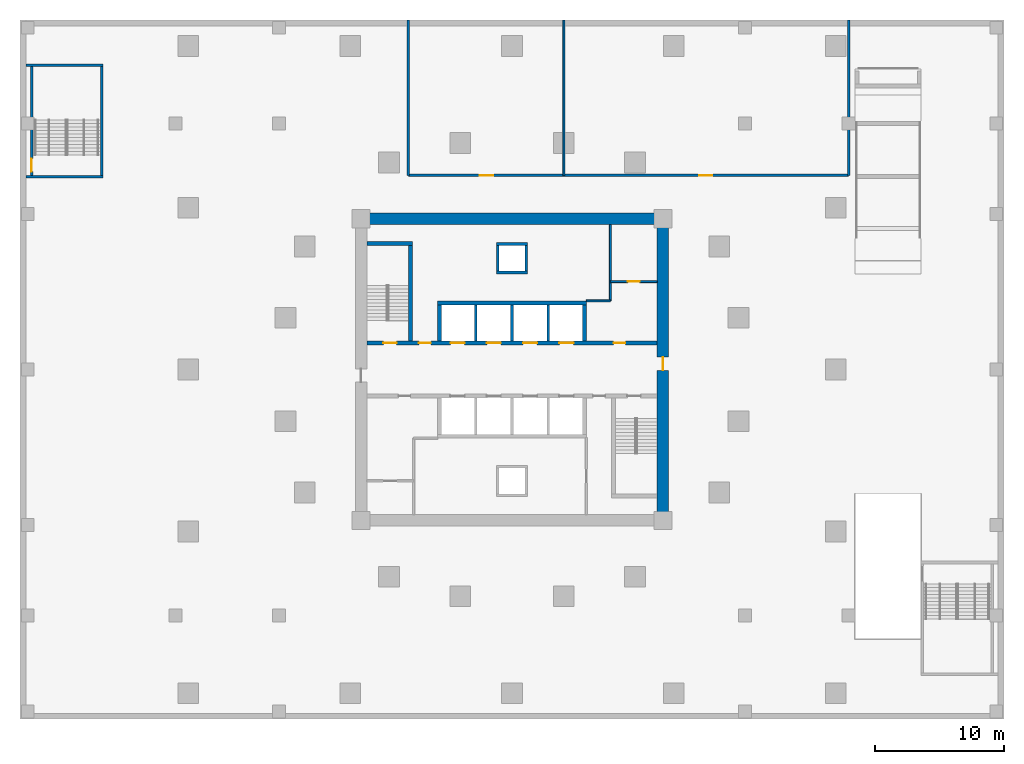
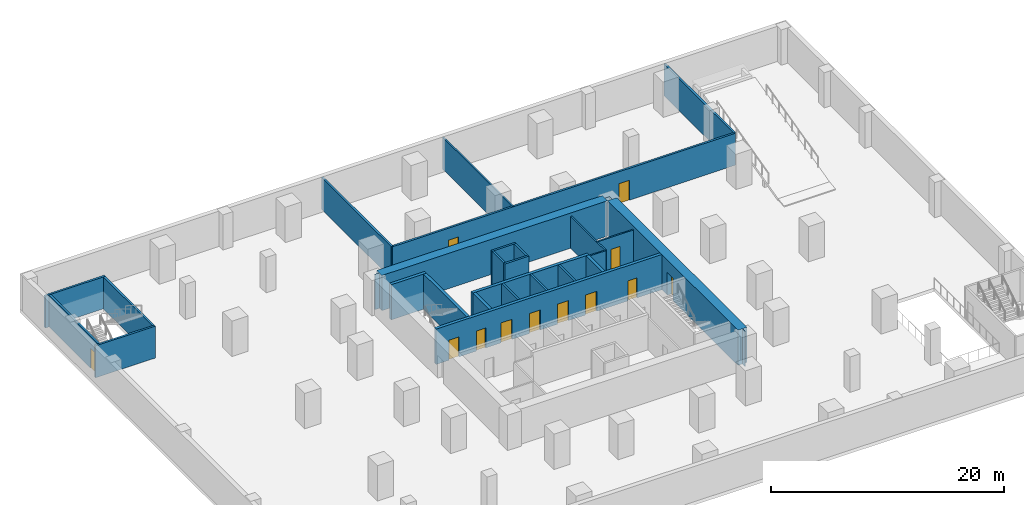
# One storey, part 4 of 9: 26 walls, 12 doors, 12 openings.
"""IFC4 building model written with IfcOpenShell, lengths in metres."""

from ifc_helpers import new_model, si_unit, direction, frame, frame_2d, origin, place, context, subcontext, project, spatial, polyline, rectangle, outline, extrude, material, layer, layer_set, type_object, element, fill, save


model = new_model("IFC4")

# Units and contexts
model_context = context("Model", 3, precision=1e-05, world=origin(), true_north=direction((0.0, 1.0)))
body_context = subcontext(model_context, "Body", "Model", "MODEL_VIEW")
ifc_project = project(units=[si_unit("LENGTHUNIT", "METRE"), si_unit("AREAUNIT", "SQUARE_METRE"), si_unit("VOLUMEUNIT", "CUBIC_METRE"), si_unit("PLANEANGLEUNIT", "RADIAN"), si_unit("MASSUNIT", "GRAM", prefix="KILO")], contexts=[model_context])

# Site, building, storey
site_placement = place(None, origin())
site = spatial("IfcSite", under=ifc_project, at=site_placement, CompositionType="ELEMENT")
building_placement = place(site_placement, origin())
building = spatial("IfcBuilding", under=site, at=building_placement, Name="Torsade Residences", CompositionType="ELEMENT")
storey_placement = place(building_placement, frame((0.0, 0.0, -3.699951171875)))
storey = spatial("IfcBuildingStorey", under=building, at=storey_placement, Name="B1", CompositionType="ELEMENT", Elevation=-3.699951171875)

# Wall, openings, doors
ifc_material_1 = material(Name="Concrete 80 MPa", Category="concrete")
ifc_layer_1 = layer(ifc_material_1, 0.300048828125)
ifc_layer_set_1 = layer_set([ifc_layer_1], Name="Concrete 80 MPa")
wall_type_1 = type_object("IfcWallType", Name="CORE INTERNAL WALL 300", PredefinedType="SHEAR", material=ifc_layer_set_1)
wall_1_placement = place(storey_placement, frame((28.800048828125, 32.050048828125, 0.0), z_axis=(0.0, 0.0, 1.0), x_axis=(1.0, 0.0, 0.0)))
wall_1 = element("IfcWall", 1, at=wall_1_placement, inside=storey, type_object=wall_type_1, Name="Core wall LN B1", PredefinedType="SHEAR", context=body_context, shape_type="SweptSolid", body=[
    extrude(rectangle(XDim=22.39990234375, YDim=0.300048828125, at=frame_2d((11.199951171875, 0.0))), origin(), (0.0, 0.0, 1.0), 3.699951171875),
])
opening_1_placement = place(wall_1_placement, frame((19.0400390625, 0.0, 0.0)))
opening_1 = element("IfcOpeningElement", 2, at=opening_1_placement, cuts=wall_1, Name="Opening D06", PredefinedType="OPENING", context=body_context, shape_type="SweptSolid", body=[
    extrude(rectangle(XDim=0.919921875, YDim=2.10009765625, at=frame_2d((0.4599609375, 1.050048828125))), frame((0.0, 0.159912109375, 0.0), z_axis=(0.0, -1.0, 0.0), x_axis=(1.0, 0.0, 0.0)), (0.0, 0.0, 1.0), 0.320068359375),
])
opening_2_placement = place(wall_1_placement, frame((1.264892578125, 0.0, 0.0)))
opening_2 = element("IfcOpeningElement", 3, at=opening_2_placement, cuts=wall_1, Name="Opening D03", PredefinedType="OPENING", context=body_context, shape_type="SweptSolid", body=[
    extrude(rectangle(XDim=1.02001953125, YDim=2.10009765625, at=frame_2d((0.510009765625, 1.050048828125))), frame((0.0, 0.159912109375, 0.0), z_axis=(0.0, -1.0, 0.0), x_axis=(1.0, 0.0, 0.0)), (0.0, 0.0, 1.0), 0.320068359375),
])
opening_3_placement = place(wall_1_placement, frame((4.014892578125, 0.0, 0.0)))
opening_3 = element("IfcOpeningElement", 4, at=opening_3_placement, cuts=wall_1, Name="Opening D06", PredefinedType="OPENING", context=body_context, shape_type="SweptSolid", body=[
    extrude(rectangle(XDim=0.919921875, YDim=2.10009765625, at=frame_2d((0.4599609375, 1.050048828125))), frame((0.0, 0.159912109375, 0.0), z_axis=(0.0, -1.0, 0.0), x_axis=(1.0, 0.0, 0.0)), (0.0, 0.0, 1.0), 0.320068359375),
])
opening_4_placement = place(wall_1_placement, frame((6.449951171875, 0.0, 0.0)))
opening_4 = element("IfcOpeningElement", 5, at=opening_4_placement, cuts=wall_1, Name="Opening LD", PredefinedType="OPENING", context=body_context, shape_type="SweptSolid", body=[
    extrude(rectangle(XDim=1.10009765625, YDim=2.10009765625, at=frame_2d((0.550048828125, 1.050048828125))), frame((0.0, 0.159912109375, 0.0), z_axis=(0.0, -1.0, 0.0), x_axis=(1.0, 0.0, 0.0)), (0.0, 0.0, 1.0), 0.320068359375),
])
opening_5_placement = place(wall_1_placement, frame((9.25, 0.0, 0.0)))
opening_5 = element("IfcOpeningElement", 6, at=opening_5_placement, cuts=wall_1, Name="Opening LD", PredefinedType="OPENING", context=body_context, shape_type="SweptSolid", body=[
    extrude(rectangle(XDim=1.10009765625, YDim=2.10009765625, at=frame_2d((0.550048828125, 1.050048828125))), frame((0.0, 0.159912109375, 0.0), z_axis=(0.0, -1.0, 0.0), x_axis=(1.0, 0.0, 0.0)), (0.0, 0.0, 1.0), 0.320068359375),
])
opening_6_placement = place(wall_1_placement, frame((12.050048828125, 0.0, 0.0)))
opening_6 = element("IfcOpeningElement", 7, at=opening_6_placement, cuts=wall_1, Name="Opening LD", PredefinedType="OPENING", context=body_context, shape_type="SweptSolid", body=[
    extrude(rectangle(XDim=1.10009765625, YDim=2.10009765625, at=frame_2d((0.550048828125, 1.050048828125))), frame((0.0, 0.159912109375, 0.0), z_axis=(0.0, -1.0, 0.0), x_axis=(1.0, 0.0, 0.0)), (0.0, 0.0, 1.0), 0.320068359375),
])
opening_7_placement = place(wall_1_placement, frame((14.85009765625, 0.0, 0.0)))
opening_7 = element("IfcOpeningElement", 8, at=opening_7_placement, cuts=wall_1, Name="Opening LD", PredefinedType="OPENING", context=body_context, shape_type="SweptSolid", body=[
    extrude(rectangle(XDim=1.10009765625, YDim=2.10009765625, at=frame_2d((0.550048828125, 1.050048828125))), frame((0.0, 0.159912109375, 0.0), z_axis=(0.0, -1.0, 0.0), x_axis=(1.0, 0.0, 0.0)), (0.0, 0.0, 1.0), 0.320068359375),
])
ifc_material_2 = material(Name="Steel-framed fire door", Category="steel")
door_type_1 = type_object("IfcDoorType", Name="FIRE DOOR 1020", OperationType="NOTDEFINED", PredefinedType="DOOR", material=ifc_material_2)
door_1_placement = place(opening_2_placement, origin())
door_1 = element("IfcDoor", 9, at=door_1_placement, inside=storey, type_object=door_type_1, Name="Exit door to fire-isolated stair ST1 B1", OperationType="SINGLE_SWING_RIGHT", OverallHeight=2.10009765625, OverallWidth=1.02001953125, PredefinedType="DOOR", context=body_context, shape_type="SweptSolid", body=[
    extrude(rectangle(XDim=1.02001953125, YDim=2.10009765625, at=frame_2d((0.510009765625, 1.050048828125))), frame((0.0, 0.02490234375, 0.0), z_axis=(0.0, -1.0, 0.0), x_axis=(1.0, 0.0, 0.0)), (0.0, 0.0, 1.0), 0.050048828125),
])
fill(opening_2, door_1)
ifc_material_3 = material(Name="Steel-framed fire door", Category="steel")
door_type_2 = type_object("IfcDoorType", Name="FIRE DOOR 920", OperationType="NOTDEFINED", PredefinedType="DOOR", material=ifc_material_3)
door_2_placement = place(opening_1_placement, origin())
door_2 = element("IfcDoor", 10, at=door_2_placement, inside=storey, type_object=door_type_2, Name="Door Lift lobby to Refuse room", OperationType="SINGLE_SWING_LEFT", OverallHeight=2.10009765625, OverallWidth=0.919921875, PredefinedType="DOOR", context=body_context, shape_type="SweptSolid", body=[
    extrude(rectangle(XDim=0.919921875, YDim=2.10009765625, at=frame_2d((0.4599609375, 1.050048828125))), frame((0.0, 0.02490234375, 0.0), z_axis=(0.0, -1.0, 0.0), x_axis=(1.0, 0.0, 0.0)), (0.0, 0.0, 1.0), 0.050048828125),
])
fill(opening_1, door_2)
door_3_placement = place(opening_3_placement, origin())
door_3 = element("IfcDoor", 11, at=door_3_placement, inside=storey, type_object=door_type_2, Name="Door Lift lobby to Electrical riser room", OperationType="SINGLE_SWING_LEFT", OverallHeight=2.10009765625, OverallWidth=0.919921875, PredefinedType="DOOR", context=body_context, shape_type="SweptSolid", body=[
    extrude(rectangle(XDim=0.919921875, YDim=2.10009765625, at=frame_2d((0.4599609375, 1.050048828125))), frame((0.0, 0.02490234375, 0.0), z_axis=(0.0, -1.0, 0.0), x_axis=(1.0, 0.0, 0.0)), (0.0, 0.0, 1.0), 0.050048828125),
])
fill(opening_3, door_3)
ifc_material_4 = material(Name="Stainless steel lift landing door", Category="steel")
door_type_3 = type_object("IfcDoorType", Name="LIFT LANDING DOOR 1100", OperationType="SLIDING_TO_LEFT", PredefinedType="DOOR", material=ifc_material_4)
door_4_placement = place(opening_4_placement, origin())
door_4 = element("IfcDoor", 12, at=door_4_placement, inside=storey, type_object=door_type_3, Name="Lift LA1 landing door B1", OperationType="SLIDING_TO_LEFT", OverallHeight=2.10009765625, OverallWidth=1.10009765625, PredefinedType="DOOR", context=body_context, shape_type="SweptSolid", body=[
    extrude(rectangle(XDim=1.10009765625, YDim=2.10009765625, at=frame_2d((0.550048828125, 1.050048828125))), frame((0.0, 0.02490234375, 0.0), z_axis=(0.0, -1.0, 0.0), x_axis=(1.0, 0.0, 0.0)), (0.0, 0.0, 1.0), 0.050048828125),
])
fill(opening_4, door_4)
door_5_placement = place(opening_5_placement, origin())
door_5 = element("IfcDoor", 13, at=door_5_placement, inside=storey, type_object=door_type_3, Name="Lift LA2 landing door B1", OperationType="SLIDING_TO_LEFT", OverallHeight=2.10009765625, OverallWidth=1.10009765625, PredefinedType="DOOR", context=body_context, shape_type="SweptSolid", body=[
    extrude(rectangle(XDim=1.10009765625, YDim=2.10009765625, at=frame_2d((0.550048828125, 1.050048828125))), frame((0.0, 0.02490234375, 0.0), z_axis=(0.0, -1.0, 0.0), x_axis=(1.0, 0.0, 0.0)), (0.0, 0.0, 1.0), 0.050048828125),
])
fill(opening_5, door_5)
door_6_placement = place(opening_6_placement, origin())
door_6 = element("IfcDoor", 14, at=door_6_placement, inside=storey, type_object=door_type_3, Name="Lift LA3 landing door B1", OperationType="SLIDING_TO_LEFT", OverallHeight=2.10009765625, OverallWidth=1.10009765625, PredefinedType="DOOR", context=body_context, shape_type="SweptSolid", body=[
    extrude(rectangle(XDim=1.10009765625, YDim=2.10009765625, at=frame_2d((0.550048828125, 1.050048828125))), frame((0.0, 0.02490234375, 0.0), z_axis=(0.0, -1.0, 0.0), x_axis=(1.0, 0.0, 0.0)), (0.0, 0.0, 1.0), 0.050048828125),
])
fill(opening_6, door_6)
door_7_placement = place(opening_7_placement, origin())
door_7 = element("IfcDoor", 15, at=door_7_placement, inside=storey, type_object=door_type_3, Name="Lift FL1 landing door B1", OperationType="SLIDING_TO_LEFT", OverallHeight=2.10009765625, OverallWidth=1.10009765625, PredefinedType="DOOR", context=body_context, shape_type="SweptSolid", body=[
    extrude(rectangle(XDim=1.10009765625, YDim=2.10009765625, at=frame_2d((0.550048828125, 1.050048828125))), frame((0.0, 0.02490234375, 0.0), z_axis=(0.0, -1.0, 0.0), x_axis=(1.0, 0.0, 0.0)), (0.0, 0.0, 1.0), 0.050048828125),
])
fill(opening_7, door_7)

# Walls
wall_2_placement = place(storey_placement, frame((34.25, 35.14990234375, 0.0), z_axis=(0.0, 0.0, 1.0), x_axis=(1.0, 0.0, 0.0)))
element("IfcWall", 16, at=wall_2_placement, inside=storey, type_object=wall_type_1, Name="Core wall BN B1", PredefinedType="SHEAR", context=body_context, shape_type="SweptSolid", body=[
    extrude(rectangle(XDim=11.5, YDim=0.300048828125, at=frame_2d((5.75, 0.0))), origin(), (0.0, 0.0, 1.0), 3.699951171875),
])
for number, where, z_axis, x_axis, name in (
    (17, (34.39990234375, 32.199951171875, 0.0), (0.0, 0.0, 1.0), (0.0, 1.0, 0.0), "Core wall DN0 B1"),
    (18, (45.60009765625, 32.199951171875, 0.0), (0.0, 0.0, 1.0), (0.0, 1.0, 0.0), "Core wall DN4 B1"),
):
    element("IfcWall", number, at=place(storey_placement, frame(where, z_axis=z_axis, x_axis=x_axis)), inside=storey, type_object=wall_type_1, Name=name, PredefinedType="SHEAR", context=body_context, shape_type="SweptSolid", body=[
        extrude(rectangle(XDim=2.800048828125, YDim=0.300048828125, at=frame_2d((1.39990234375, 0.0))), origin(), (0.0, 0.0, 1.0), 3.699951171875),
    ])
wall_3_placement = place(storey_placement, frame((32.14990234375, 32.199951171875, 0.0), z_axis=(0.0, 0.0, 1.0), x_axis=(0.0, 1.0, 0.0)))
element("IfcWall", 19, at=wall_3_placement, inside=storey, type_object=wall_type_1, Name="Core wall ST1E B1", PredefinedType="SHEAR", context=body_context, shape_type="SweptSolid", body=[
    extrude(rectangle(XDim=7.699951171875, YDim=0.300048828125, at=frame_2d((3.85009765625, 0.0))), origin(), (0.0, 0.0, 1.0), 3.699951171875),
])
wall_4_placement = place(storey_placement, frame((28.800048828125, 39.75, 0.0), z_axis=(0.0, 0.0, 1.0), x_axis=(1.0, 0.0, 0.0)))
element("IfcWall", 20, at=wall_4_placement, inside=storey, type_object=wall_type_1, Name="Core wall ST1N B1", PredefinedType="SHEAR", context=body_context, shape_type="SweptSolid", body=[
    extrude(rectangle(XDim=3.5, YDim=0.300048828125, at=frame_2d((1.75, 0.0))), origin(), (0.0, 0.0, 1.0), 3.699951171875),
])
ifc_material_5 = material(Name="Concrete 80 MPa", Category="concrete")
ifc_layer_2 = layer(ifc_material_5, 0.89990234375)
ifc_layer_set_2 = layer_set([ifc_layer_2], Name="Concrete 80 MPa")
wall_type_2 = type_object("IfcWallType", Name="CORE WALL 900", PredefinedType="SHEAR", material=ifc_layer_set_2)
wall_5_placement = place(storey_placement, frame((28.800048828125, 41.64990234375, 0.0), z_axis=(0.0, 0.0, 1.0), x_axis=(1.0, 0.0, 0.0)))
element("IfcWall", 21, at=wall_5_placement, inside=storey, type_object=wall_type_2, Name="Core wall N B1", PredefinedType="SHEAR", context=body_context, shape_type="SweptSolid", body=[
    extrude(outline(polyline([(0.0, -0.449951171875), (22.39990234375, -0.449951171875), (22.39990234375, -0.02490234375), (22.849853515625, -0.02490234375), (22.849853515625, 0.02490234375), (22.39990234375, 0.02490234375), (22.39990234375, 0.449951171875), (0.0, 0.449951171875), (0.0, 0.02490234375), (-0.449951171875, 0.02490234375), (-0.449951171875, -0.02490234375), (0.0, -0.02490234375), (0.0, -0.449951171875)])), origin(), (0.0, 0.0, 1.0), 3.699951171875),
])

# Wall, opening, door
wall_6_placement = place(storey_placement, frame((51.64990234375, 18.800048828125, 0.0), z_axis=(0.0, 0.0, 1.0), x_axis=(0.0, 1.0, 0.0)))
wall_6 = element("IfcWall", 22, at=wall_6_placement, inside=storey, type_object=wall_type_2, Name="Core wall E B1", PredefinedType="SHEAR", context=body_context, shape_type="SweptSolid", body=[
    extrude(outline(polyline([(0.0, -0.449951171875), (22.39990234375, -0.449951171875), (22.39990234375, -0.02490234375), (22.849853515625, -0.02490234375), (22.849853515625, 0.02490234375), (22.39990234375, 0.02490234375), (22.39990234375, 0.449951171875), (0.0, 0.449951171875), (0.0, 0.02490234375), (-0.449951171875, 0.02490234375), (-0.449951171875, -0.02490234375), (0.0, -0.02490234375), (0.0, -0.449951171875)])), origin(), (0.0, 0.0, 1.0), 3.699951171875),
])
opening_8_placement = place(wall_6_placement, frame((11.139892578125, 0.0, 0.0)))
opening_8 = element("IfcOpeningElement", 23, at=opening_8_placement, cuts=wall_6, Name="Opening D04", PredefinedType="OPENING", context=body_context, shape_type="SweptSolid", body=[
    extrude(rectangle(XDim=1.02001953125, YDim=2.39990234375, at=frame_2d((0.510009765625, 1.199951171875))), frame((0.0, 0.4599609375, 0.0), z_axis=(0.0, -1.0, 0.0), x_axis=(1.0, 0.0, 0.0)), (0.0, 0.0, 1.0), 0.919921875),
])
ifc_material_6 = material(Name="Steel-framed fire door", Category="steel")
door_type_4 = type_object("IfcDoorType", Name="LOBBY SMOKE DOOR 1020x2400", OperationType="NOTDEFINED", PredefinedType="DOOR", material=ifc_material_6)
door_8_placement = place(opening_8_placement, origin())
door_8 = element("IfcDoor", 24, at=door_8_placement, inside=storey, type_object=door_type_4, Name="Lift lobby door E B1", OperationType="SINGLE_SWING_LEFT", OverallHeight=2.39990234375, OverallWidth=1.02001953125, PredefinedType="DOOR", context=body_context, shape_type="SweptSolid", body=[
    extrude(rectangle(XDim=1.02001953125, YDim=2.39990234375, at=frame_2d((0.510009765625, 1.199951171875))), frame((0.0, 0.02490234375, 0.0), z_axis=(0.0, -1.0, 0.0), x_axis=(1.0, 0.0, 0.0)), (0.0, 0.0, 1.0), 0.050048828125),
])
fill(opening_8, door_8)

# Wall
ifc_material_7 = material(Name="Plasterboard on steel stud", Category="steel")
ifc_layer_3 = layer(ifc_material_7, 0.199951171875)
ifc_layer_set_3 = layer_set([ifc_layer_3], Name="Plasterboard on steel stud")
wall_type_3 = type_object("IfcWallType", Name="CORRIDOR WALL 200", PredefinedType="PARTITIONING", material=ifc_layer_set_3)
wall_7_placement = place(storey_placement, frame((32.0, 57.0, 0.0), z_axis=(0.0, 0.0, 1.0), x_axis=(0.0, -1.0, 0.0)))
element("IfcWall", 25, at=wall_7_placement, inside=storey, type_object=wall_type_3, Name="Corridor wall B1", PredefinedType="PARTITIONING", context=body_context, shape_type="SweptSolid", body=[
    extrude(rectangle(XDim=12.0, YDim=0.199951171875, at=frame_2d((6.0, 0.0))), origin(), (0.0, 0.0, 1.0), 3.349853515625),
])

# Wall, openings, doors
wall_8_placement = place(storey_placement, frame((32.0, 45.0, 0.0), z_axis=(0.0, 0.0, 1.0), x_axis=(1.0, 0.0, 0.0)))
wall_8 = element("IfcWall", 26, at=wall_8_placement, inside=storey, type_object=wall_type_3, Name="Corridor wall B1", PredefinedType="PARTITIONING", context=body_context, shape_type="SweptSolid", body=[
    extrude(rectangle(XDim=34.0, YDim=0.199951171875, at=frame_2d((17.0, 0.0))), origin(), (0.0, 0.0, 1.0), 3.349853515625),
])
opening_9_placement = place(wall_8_placement, frame((22.465087890625, 0.0, 0.0)))
opening_9 = element("IfcOpeningElement", 27, at=opening_9_placement, cuts=wall_8, Name="Opening D03", PredefinedType="OPENING", context=body_context, shape_type="SweptSolid", body=[
    extrude(rectangle(XDim=1.02001953125, YDim=2.10009765625, at=frame_2d((0.510009765625, 1.050048828125))), frame((0.0, 0.10986328125, 0.0), z_axis=(0.0, -1.0, 0.0), x_axis=(1.0, 0.0, 0.0)), (0.0, 0.0, 1.0), 0.219970703125),
])
opening_10_placement = place(wall_8_placement, frame((5.514892578125, 0.0, 0.0)))
opening_10 = element("IfcOpeningElement", 28, at=opening_10_placement, cuts=wall_8, Name="Opening D03", PredefinedType="OPENING", context=body_context, shape_type="SweptSolid", body=[
    extrude(rectangle(XDim=1.02001953125, YDim=2.10009765625, at=frame_2d((0.510009765625, 1.050048828125))), frame((0.0, 0.10986328125, 0.0), z_axis=(0.0, -1.0, 0.0), x_axis=(1.0, 0.0, 0.0)), (0.0, 0.0, 1.0), 0.219970703125),
])
door_9_placement = place(opening_9_placement, origin())
door_9 = element("IfcDoor", 29, at=door_9_placement, inside=storey, type_object=door_type_1, Name="Door Car park to Residents storage", OperationType="SINGLE_SWING_LEFT", OverallHeight=2.10009765625, OverallWidth=1.02001953125, PredefinedType="DOOR", context=body_context, shape_type="SweptSolid", body=[
    extrude(rectangle(XDim=1.02001953125, YDim=2.10009765625, at=frame_2d((0.510009765625, 1.050048828125))), frame((0.0, 0.02490234375, 0.0), z_axis=(0.0, -1.0, 0.0), x_axis=(1.0, 0.0, 0.0)), (0.0, 0.0, 1.0), 0.050048828125),
])
fill(opening_9, door_9)
door_10_placement = place(opening_10_placement, origin())
door_10 = element("IfcDoor", 30, at=door_10_placement, inside=storey, type_object=door_type_1, Name="Door Car park to Bicycle store", OperationType="SINGLE_SWING_RIGHT", OverallHeight=2.10009765625, OverallWidth=1.02001953125, PredefinedType="DOOR", context=body_context, shape_type="SweptSolid", body=[
    extrude(rectangle(XDim=1.02001953125, YDim=2.10009765625, at=frame_2d((0.510009765625, 1.050048828125))), frame((0.0, 0.02490234375, 0.0), z_axis=(0.0, -1.0, 0.0), x_axis=(1.0, 0.0, 0.0)), (0.0, 0.0, 1.0), 0.050048828125),
])
fill(opening_10, door_10)

# Walls
wall_9_placement = place(storey_placement, frame((66.0, 57.0, 0.0), z_axis=(0.0, 0.0, 1.0), x_axis=(0.0, -1.0, 0.0)))
element("IfcWall", 31, at=wall_9_placement, inside=storey, type_object=wall_type_3, Name="Corridor wall B1", PredefinedType="PARTITIONING", context=body_context, shape_type="SweptSolid", body=[
    extrude(rectangle(XDim=12.0, YDim=0.199951171875, at=frame_2d((6.0, 0.0))), origin(), (0.0, 0.0, 1.0), 3.349853515625),
])
ifc_material_8 = material(Name="Reinforced blockwork", Category="masonry")
ifc_layer_4 = layer(ifc_material_8, 0.199951171875)
ifc_layer_set_4 = layer_set([ifc_layer_4], Name="Reinforced blockwork")
wall_type_4 = type_object("IfcWallType", Name="LIFT SHAFT DIVIDING WALL 200", PredefinedType="SOLIDWALL", material=ifc_layer_set_4)
for number, where, z_axis, x_axis, name in (
    (32, (37.199951171875, 32.199951171875, 0.0), (0.0, 0.0, 1.0), (0.0, 1.0, 0.0), "Core wall DN1 B1"),
    (33, (40.0, 32.199951171875, 0.0), (0.0, 0.0, 1.0), (0.0, 1.0, 0.0), "Core wall DN2 B1"),
    (34, (42.800048828125, 32.199951171875, 0.0), (0.0, 0.0, 1.0), (0.0, 1.0, 0.0), "Core wall DN3 B1"),
):
    element("IfcWall", number, at=place(storey_placement, frame(where, z_axis=z_axis, x_axis=x_axis)), inside=storey, type_object=wall_type_4, Name=name, PredefinedType="SOLIDWALL", context=body_context, shape_type="SweptSolid", body=[
        extrude(rectangle(XDim=2.800048828125, YDim=0.199951171875, at=frame_2d((1.39990234375, 0.0))), origin(), (0.0, 0.0, 1.0), 3.699951171875),
    ])
ifc_material_9 = material(Name="Reinforced blockwork", Category="masonry")
ifc_layer_5 = layer(ifc_material_9, 0.199951171875)
ifc_layer_set_5 = layer_set([ifc_layer_5], Name="Reinforced blockwork")
wall_type_5 = type_object("IfcWallType", Name="PODIUM STAIR ENCLOSURE WALL 200", PredefinedType="SOLIDWALL", material=ifc_layer_set_5)
wall_10_placement = place(storey_placement, frame((2.449951171875, 44.89990234375, 0.0), z_axis=(0.0, 0.0, 1.0), x_axis=(1.0, 0.0, 0.0)))
element("IfcWall", 35, at=wall_10_placement, inside=storey, type_object=wall_type_5, Name="Stair enclosure wall B1", PredefinedType="SOLIDWALL", context=body_context, shape_type="SweptSolid", body=[
    extrude(rectangle(XDim=5.949951171875, YDim=0.199951171875, at=frame_2d((2.97509765625, 0.0))), origin(), (0.0, 0.0, 1.0), 3.349853515625),
])
wall_11_placement = place(storey_placement, frame((8.300048828125, 45.0, 0.0), z_axis=(0.0, 0.0, 1.0), x_axis=(0.0, 1.0, 0.0)))
element("IfcWall", 36, at=wall_11_placement, inside=storey, type_object=wall_type_5, Name="Stair enclosure wall B1", PredefinedType="SOLIDWALL", context=body_context, shape_type="SweptSolid", body=[
    extrude(rectangle(XDim=8.419921875, YDim=0.199951171875, at=frame_2d((4.2099609375, 0.0))), origin(), (0.0, 0.0, 1.0), 3.349853515625),
])
wall_12_placement = place(storey_placement, frame((8.39990234375, 53.52001953125, 0.0), z_axis=(0.0, 0.0, 1.0), x_axis=(-1.0, 0.0, 0.0)))
element("IfcWall", 37, at=wall_12_placement, inside=storey, type_object=wall_type_5, Name="Stair enclosure wall B1", PredefinedType="SOLIDWALL", context=body_context, shape_type="SweptSolid", body=[
    extrude(rectangle(XDim=5.949951171875, YDim=0.199951171875, at=frame_2d((2.97509765625, 0.0))), origin(), (0.0, 0.0, 1.0), 3.349853515625),
])

# Wall, opening, door
wall_13_placement = place(storey_placement, frame((2.89990234375, 53.419921875, 0.0), z_axis=(0.0, 0.0, 1.0), x_axis=(0.0, -1.0, 0.0)))
wall_13 = element("IfcWall", 38, at=wall_13_placement, inside=storey, type_object=wall_type_5, Name="Stair enclosure wall B1", PredefinedType="SOLIDWALL", context=body_context, shape_type="SweptSolid", body=[
    extrude(rectangle(XDim=8.419921875, YDim=0.199951171875, at=frame_2d((4.2099609375, 0.0))), origin(), (0.0, 0.0, 1.0), 3.349853515625),
])
opening_11_placement = place(wall_13_placement, frame((7.1201171875, 0.0, 0.0)))
opening_11 = element("IfcOpeningElement", 39, at=opening_11_placement, cuts=wall_13, Name="Opening D03", PredefinedType="OPENING", context=body_context, shape_type="SweptSolid", body=[
    extrude(rectangle(XDim=1.02001953125, YDim=2.10009765625, at=frame_2d((0.510009765625, 1.050048828125))), frame((0.0, 0.10986328125, 0.0), z_axis=(0.0, -1.0, 0.0), x_axis=(1.0, 0.0, 0.0)), (0.0, 0.0, 1.0), 0.219970703125),
])
door_11_placement = place(opening_11_placement, origin())
door_11 = element("IfcDoor", 40, at=door_11_placement, inside=storey, type_object=door_type_1, Name="Exit door to fire-isolated stair ST3 B1", OperationType="SINGLE_SWING_RIGHT", OverallHeight=2.10009765625, OverallWidth=1.02001953125, PredefinedType="DOOR", context=body_context, shape_type="SweptSolid", body=[
    extrude(rectangle(XDim=1.02001953125, YDim=2.10009765625, at=frame_2d((0.510009765625, 1.050048828125))), frame((0.0, 0.02490234375, 0.0), z_axis=(0.0, -1.0, 0.0), x_axis=(1.0, 0.0, 0.0)), (0.0, 0.0, 1.0), 0.050048828125),
])
fill(opening_11, door_11)

# Walls
ifc_material_10 = material(Name="Reinforced blockwork", Category="masonry")
ifc_layer_6 = layer(ifc_material_10, 0.199951171875)
ifc_layer_set_6 = layer_set([ifc_layer_6], Name="Reinforced blockwork")
wall_type_6 = type_object("IfcWallType", Name="RISER SHAFT WALL 200", PredefinedType="SOLIDWALL", material=ifc_layer_set_6)
for number, where, z_axis, x_axis, name in (
    (41, (38.89990234375, 37.60009765625, 0.0), (0.0, 0.0, 1.0), (0.0, 1.0, 0.0), "Core wall RS1a B1"),
    (42, (41.10009765625, 37.60009765625, 0.0), (0.0, 0.0, 1.0), (0.0, 1.0, 0.0), "Core wall RS1b B1"),
):
    element("IfcWall", number, at=place(storey_placement, frame(where, z_axis=z_axis, x_axis=x_axis)), inside=storey, type_object=wall_type_6, Name=name, PredefinedType="SOLIDWALL", context=body_context, shape_type="SweptSolid", body=[
        extrude(rectangle(XDim=2.0, YDim=0.199951171875, at=frame_2d((1.0, 0.0))), origin(), (0.0, 0.0, 1.0), 3.699951171875),
    ])
for number, where, z_axis, x_axis, name in (
    (43, (38.800048828125, 37.5, 0.0), (0.0, 0.0, 1.0), (1.0, 0.0, 0.0), "Core wall RS1c B1"),
    (44, (38.800048828125, 39.699951171875, 0.0), (0.0, 0.0, 1.0), (1.0, 0.0, 0.0), "Core wall RS1d B1"),
):
    element("IfcWall", number, at=place(storey_placement, frame(where, z_axis=z_axis, x_axis=x_axis)), inside=storey, type_object=wall_type_6, Name=name, PredefinedType="SOLIDWALL", context=body_context, shape_type="SweptSolid", body=[
        extrude(rectangle(XDim=2.39990234375, YDim=0.199951171875, at=frame_2d((1.199951171875, 0.0))), origin(), (0.0, 0.0, 1.0), 3.699951171875),
    ])
ifc_material_11 = material(Name="Reinforced blockwork", Category="masonry")
ifc_layer_7 = layer(ifc_material_11, 0.14990234375)
ifc_layer_set_7 = layer_set([ifc_layer_7], Name="Reinforced blockwork")
wall_type_7 = type_object("IfcWallType", Name="SERVICE ROOM WALL 150", PredefinedType="SOLIDWALL", material=ifc_layer_set_7)
wall_14_placement = place(storey_placement, frame((47.60009765625, 41.199951171875, 0.0), z_axis=(0.0, 0.0, 1.0), x_axis=(0.0, -1.0, 0.0)))
element("IfcWall", 45, at=wall_14_placement, inside=storey, type_object=wall_type_7, Name="Service room wall B1", PredefinedType="SOLIDWALL", context=body_context, shape_type="SweptSolid", body=[
    extrude(rectangle(XDim=5.89990234375, YDim=0.14990234375, at=frame_2d((2.949951171875, 0.0))), origin(), (0.0, 0.0, 1.0), 3.349853515625),
])
wall_15_placement = place(storey_placement, frame((47.60009765625, 35.300048828125, 0.0), z_axis=(0.0, 0.0, 1.0), x_axis=(-1.0, 0.0, 0.0)))
element("IfcWall", 46, at=wall_15_placement, inside=storey, type_object=wall_type_7, Name="Service room wall B1", PredefinedType="SOLIDWALL", context=body_context, shape_type="SweptSolid", body=[
    extrude(rectangle(XDim=1.85009765625, YDim=0.14990234375, at=frame_2d((0.925048828125, 0.0))), origin(), (0.0, 0.0, 1.0), 3.349853515625),
])

# Wall, opening, door
wall_16_placement = place(storey_placement, frame((47.60009765625, 36.800048828125, 0.0), z_axis=(0.0, 0.0, 1.0), x_axis=(1.0, 0.0, 0.0)))
wall_16 = element("IfcWall", 47, at=wall_16_placement, inside=storey, type_object=wall_type_7, Name="Service room wall B1", PredefinedType="SOLIDWALL", context=body_context, shape_type="SweptSolid", body=[
    extrude(rectangle(XDim=3.599853515625, YDim=0.14990234375, at=frame_2d((1.7998046875, 0.0))), origin(), (0.0, 0.0, 1.0), 3.349853515625),
])
opening_12_placement = place(wall_16_placement, frame((1.340087890625, 0.0, 0.0)))
opening_12 = element("IfcOpeningElement", 48, at=opening_12_placement, cuts=wall_16, Name="Opening D06", PredefinedType="OPENING", context=body_context, shape_type="SweptSolid", body=[
    extrude(rectangle(XDim=0.919921875, YDim=2.10009765625, at=frame_2d((0.4599609375, 1.050048828125))), frame((0.0, 0.0849609375, 0.0), z_axis=(0.0, -1.0, 0.0), x_axis=(1.0, 0.0, 0.0)), (0.0, 0.0, 1.0), 0.169921875),
])
door_12_placement = place(opening_12_placement, origin())
door_12 = element("IfcDoor", 49, at=door_12_placement, inside=storey, type_object=door_type_2, Name="Door Refuse room to Bulky waste store", OperationType="SINGLE_SWING_LEFT", OverallHeight=2.10009765625, OverallWidth=0.919921875, PredefinedType="DOOR", context=body_context, shape_type="SweptSolid", body=[
    extrude(rectangle(XDim=0.919921875, YDim=2.10009765625, at=frame_2d((0.4599609375, 1.050048828125))), frame((0.0, 0.02490234375, 0.0), z_axis=(0.0, -1.0, 0.0), x_axis=(1.0, 0.0, 0.0)), (0.0, 0.0, 1.0), 0.050048828125),
])
fill(opening_12, door_12)

# Wall
wall_17_placement = place(storey_placement, frame((44.0, 57.0, 0.0), z_axis=(0.0, 0.0, 1.0), x_axis=(0.0, -1.0, 0.0)))
element("IfcWall", 50, at=wall_17_placement, inside=storey, type_object=wall_type_7, Name="Service room wall B1", PredefinedType="SOLIDWALL", context=body_context, shape_type="SweptSolid", body=[
    extrude(rectangle(XDim=12.0, YDim=0.14990234375, at=frame_2d((6.0, 0.0))), origin(), (0.0, 0.0, 1.0), 3.349853515625),
])

save(model, "model.ifc")
